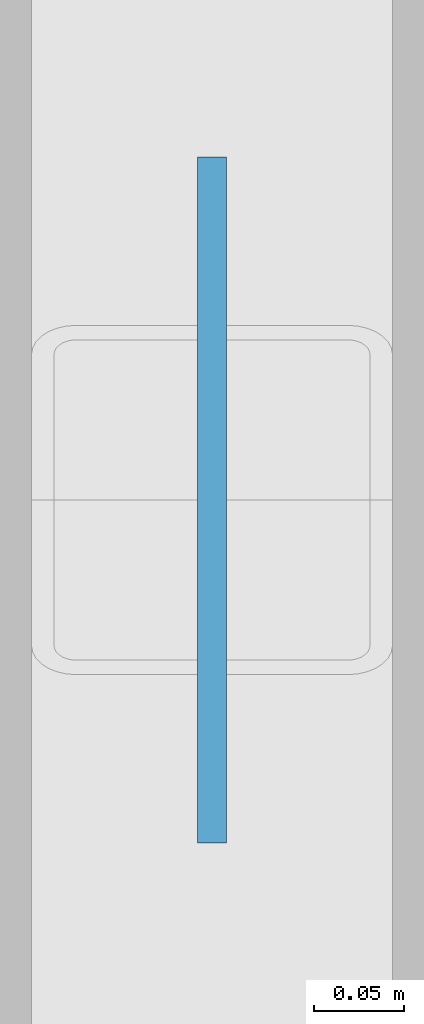
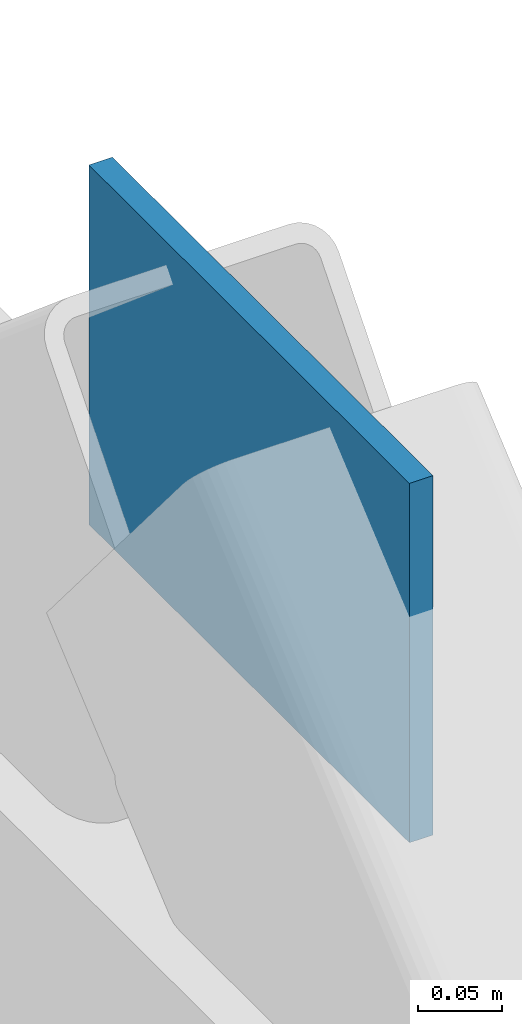
# One storey, part 29 of 51: 1 plate.
"""IFC4 building model written with IfcOpenShell, lengths in metres."""

from ifc_helpers import new_model, si_unit, direction, frame, origin, origin_2d, place, context, subcontext, project, spatial, rectangle, extrude, material, layer, layer_set, type_object, element, save


model = new_model("IFC4")

# Units and contexts
model_context = context("Model", 3, precision=1e-05, world=origin(), true_north=direction((0.0, 1.0)))
body_context = subcontext(model_context, "Body", "Model", "MODEL_VIEW")
ifc_project = project(units=[si_unit("LENGTHUNIT", "METRE"), si_unit("AREAUNIT", "SQUARE_METRE"), si_unit("VOLUMEUNIT", "CUBIC_METRE"), si_unit("PLANEANGLEUNIT", "RADIAN"), si_unit("MASSUNIT", "GRAM", prefix="KILO")], contexts=[model_context])

# Site, building, storey
site_placement = place(None, origin())
site = spatial("IfcSite", under=ifc_project, at=site_placement, CompositionType="ELEMENT")
building_placement = place(site_placement, origin())
building = spatial("IfcBuilding", under=site, at=building_placement, Name="Qasida Concert Hall", CompositionType="ELEMENT")
storey_placement = place(building_placement, frame((0.0, 0.0, 21.0)))
storey = spatial("IfcBuildingStorey", under=building, at=storey_placement, Name="L05", CompositionType="ELEMENT", Elevation=21.0)

# Plate
ifc_material = material(Name="Steel S355J2", Category="steel")
ifc_layer = layer(ifc_material, 0.01611328125, Name="Steel S355J2")
ifc_layer_set = layer_set([ifc_layer], Name="Steel S355J2")
plate_type = type_object("IfcPlateType", Name="PLT-PL-EC3", PredefinedType="SHEET", material=ifc_layer_set)
plate_placement = place(storey_placement, frame((52.5, 71.25, 3.0400390625), z_axis=(0.0, 0.0, 1.0), x_axis=(0.0, 1.0, 0.0)))
element("IfcPlate", 1, at=plate_placement, inside=storey, type_object=plate_type, Name="Chevron apex plate CBF-0076", PredefinedType="SHEET", context=body_context, shape_type="SweptSolid", body=[
    extrude(rectangle(XDim=0.3798828125, YDim=0.01611328125, at=origin_2d()), origin(), (0.0, 0.0, 1.0), 0.260009765625),
])

save(model, "model.ifc")
